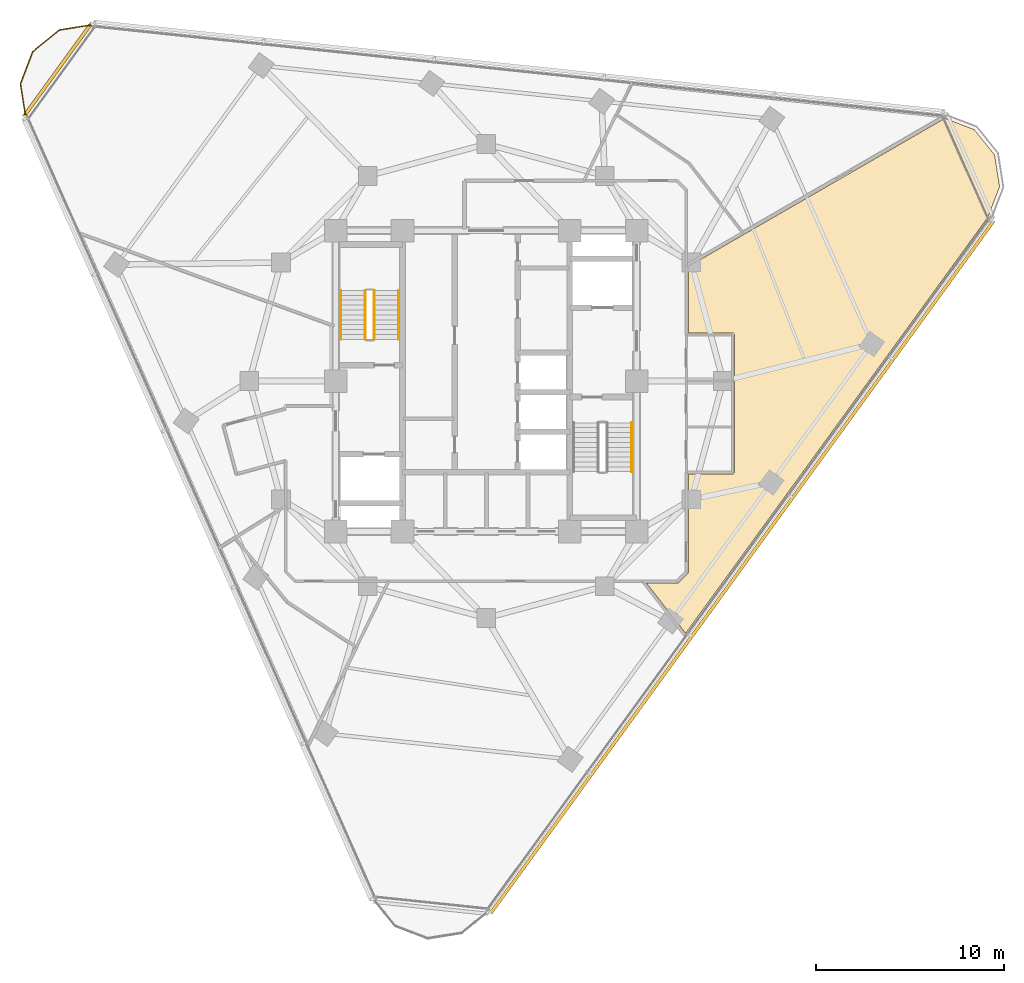
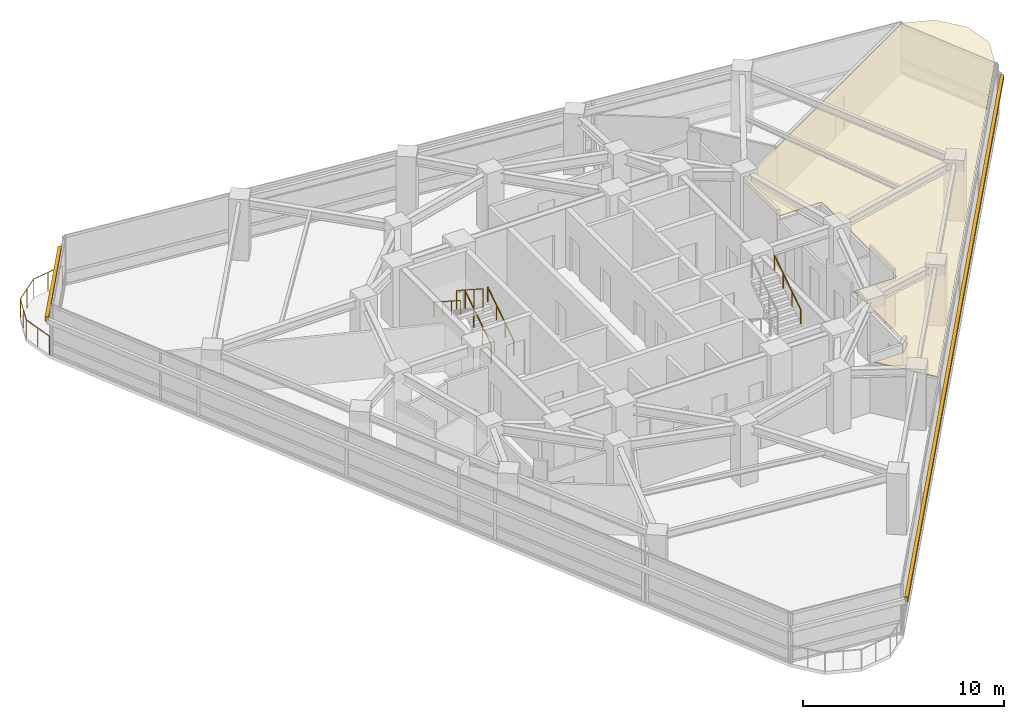
# One storey, part 13 of 14: 6 railings, 2 shading devices, 1 covering.
"""IFC4 building model written with IfcOpenShell, lengths in metres."""

from ifc_helpers import new_model, si_unit, direction, frame, origin, origin_2d, place, context, subcontext, project, spatial, polyline, rectangle, circle, outline, extrude, material, layer, layer_set, type_object, element, save


model = new_model("IFC4")

# Units and contexts
model_context = context("Model", 3, precision=1e-05, world=origin(), true_north=direction((0.0, 1.0)))
body_context = subcontext(model_context, "Body", "Model", "MODEL_VIEW")
ifc_project = project(units=[si_unit("LENGTHUNIT", "METRE"), si_unit("AREAUNIT", "SQUARE_METRE"), si_unit("VOLUMEUNIT", "CUBIC_METRE"), si_unit("PLANEANGLEUNIT", "RADIAN"), si_unit("MASSUNIT", "GRAM", prefix="KILO")], contexts=[model_context])

# Site, building, storey
site_placement = place(None, origin())
site = spatial("IfcSite", under=ifc_project, at=site_placement, CompositionType="ELEMENT")
building_placement = place(site_placement, origin())
building = spatial("IfcBuilding", under=site, at=building_placement, Name="Terralouvre Media Tower", CompositionType="ELEMENT")
storey_placement = place(building_placement, frame((0.0, 0.0, 241.10009765625)))
storey = spatial("IfcBuildingStorey", under=building, at=storey_placement, Name="L62", CompositionType="ELEMENT", Elevation=241.10009765625)

# Covering
ifc_material_1 = material(Name="Perforated aluminium acoustic ceiling baffle", Category="aluminium")
ifc_layer_1 = layer(ifc_material_1, 0.0400390625, Name="Perforated Acoustic Metal Tile Ceiling CL-AC1")
ifc_layer_set_1 = layer_set([ifc_layer_1], Name="Perforated aluminium acoustic ceiling baffle")
covering_type = type_object("IfcCoveringType", Name="Perforated Acoustic Metal Tile Ceiling CL-AC1", PredefinedType="CEILING", material=ifc_layer_set_1)
covering_placement = place(storey_placement, frame((0.0, 0.0, 2.97998046875), z_axis=(0.0, 0.0, 1.0), x_axis=(0.587785252292, 0.809016994375, 0.0)))
element("IfcCovering", 1, at=covering_placement, inside=storey, type_object=covering_type, Name="L62 Tournament Highlights Cinema 5 Acoustic Ceiling", PredefinedType="CEILING", context=body_context, shape_type="SweptSolid", body=[
    extrude(outline(polyline([(11.24658203125, -5.116455078125), (8.381591796875, -7.197998046875), (9.762939453125, -9.099365234375), (9.768310546875, -9.107421875), (9.77294921875, -9.1162109375), (9.776611328125, -9.125244140625), (9.779296875, -9.134765625), (9.781005859375, -9.144287109375), (9.781982421875, -9.154296875), (9.781982421875, -9.163818359375), (9.78076171875, -9.173583984375), (9.77880859375, -9.183349609375), (9.77587890625, -9.192626953125), (9.77197265625, -9.20166015625), (9.767333984375, -9.210205078125), (9.76171875, -9.218505859375), (9.755615234375, -9.225830078125), (9.74853515625, -9.232666015625), (9.740966796875, -9.239013671875), (3.8349609375, -13.52978515625), (3.826904296875, -13.53515625), (3.818115234375, -13.539794921875), (3.80908203125, -13.54345703125), (3.799560546875, -13.546142578125), (3.7900390625, -13.5478515625), (3.780029296875, -13.548828125), (3.7705078125, -13.548583984375), (3.760498046875, -13.547607421875), (3.7509765625, -13.545654296875), (3.74169921875, -13.542724609375), (3.732666015625, -13.538818359375), (3.72412109375, -13.5341796875), (3.7158203125, -13.528564453125), (3.708251953125, -13.522216796875), (3.701416015625, -13.515380859375), (3.6953125, -13.507568359375), (2.31396484375, -11.6064453125), (-1.892822265625, -14.662841796875), (-1.901123046875, -14.668212890625), (-1.90966796875, -14.6728515625), (-1.918701171875, -14.676513671875), (-1.92822265625, -14.67919921875), (-1.93798828125, -14.68115234375), (-1.94775390625, -14.681884765625), (-1.95751953125, -14.681884765625), (-1.96728515625, -14.680908203125), (-2.665771484375, -14.570068359375), (-2.67529296875, -14.568115234375), (-2.6845703125, -14.565185546875), (-2.693603515625, -14.561279296875), (-2.7021484375, -14.556640625), (-2.71044921875, -14.55126953125), (-2.718017578125, -14.544921875), (-2.724853515625, -14.537841796875), (-2.73095703125, -14.5302734375), (-3.685546875, -13.21630859375), (-4.6171875, -16.46435546875), (22.72119140625, -16.464599609375), (24.4111328125, -16.011474609375), (25.627197265625, -14.7958984375), (26.072021484375, -13.135009765625), (25.64111328125, -11.525390625), (14.3369140625, -6.492919921875), (11.24658203125, -5.116455078125)])), origin(), (0.0, 0.0, 1.0), 0.0400390625),
])

# Railings
ifc_material_2 = material(Name="Stainless steel 316 handrail and balustrade", Category="steel")
ifc_layer_2 = layer(ifc_material_2, 0.06005859375, Name="Roof Edge Safety Guardrail GR-ROOF1")
ifc_layer_set_2 = layer_set([ifc_layer_2], Name="Stainless steel 316 handrail and balustrade")
railing_type_1 = type_object("IfcRailingType", Name="Roof Edge Safety Guardrail GR-ROOF1", PredefinedType="GUARDRAIL", material=ifc_layer_set_2)
railing_1_placement = place(storey_placement, frame((-20.870361328125, 18.961181640625, 0.0)))
element("IfcRailing", 2, at=railing_1_placement, inside=storey, type_object=railing_type_1, Name="L62 Wind-Corner Perimeter Safety Guardrail C2", PredefinedType="GUARDRAIL", context=body_context, shape_type="SweptSolid", body=[
    extrude(circle(Radius=0.02099609375, at=origin_2d()), frame((0.0, 0.0, 1.12890625), z_axis=(-0.987731695444, -0.156160487372, 0.0), x_axis=(0.156160487372, -0.987731695444, 0.0)), (0.0, 0.0, 1.0), 1.8369140625),
    extrude(circle(Radius=0.02099609375, at=origin_2d()), frame((-1.814453125, -0.286865234375, 1.12890625), z_axis=(-0.777198436724, -0.629255583967, 0.0), x_axis=(0.629255583967, -0.777198436724, 0.0)), (0.0, 0.0, 1.0), 1.836669921875),
    extrude(circle(Radius=0.02099609375, at=origin_2d()), frame((-3.241943359375, -1.442626953125, 1.12890625), z_axis=(-0.35822186013, -0.933636491856, 0.0), x_axis=(0.933636491856, -0.35822186013, 0.0)), (0.0, 0.0, 1.0), 1.836669921875),
    extrude(circle(Radius=0.02099609375, at=origin_2d()), frame((-3.89990234375, -3.157470703125, 1.12890625), z_axis=(0.156699635824, -0.987646305178, 0.0), x_axis=(0.987646305178, 0.156699635824, 0.0)), (0.0, 0.0, 1.0), 1.8369140625),
    extrude(circle(Radius=0.01904296875, at=origin_2d()), origin(), (0.0, 0.0, 1.0), 1.10791015625),
    extrude(circle(Radius=0.01904296875, at=origin_2d()), frame((-0.9072265625, -0.1435546875, 0.0)), (0.0, 0.0, 1.0), 1.10791015625),
    extrude(circle(Radius=0.01904296875, at=origin_2d()), frame((-1.814453125, -0.286865234375, 0.0)), (0.0, 0.0, 1.0), 1.10791015625),
    extrude(circle(Radius=0.01904296875, at=origin_2d()), frame((-2.5283203125, -0.86474609375, 0.0)), (0.0, 0.0, 1.0), 1.10791015625),
    extrude(circle(Radius=0.01904296875, at=origin_2d()), frame((-3.241943359375, -1.442626953125, 0.0)), (0.0, 0.0, 1.0), 1.10791015625),
    extrude(circle(Radius=0.01904296875, at=origin_2d()), frame((-3.57080078125, -2.300048828125, 0.0)), (0.0, 0.0, 1.0), 1.10791015625),
    extrude(circle(Radius=0.01904296875, at=origin_2d()), frame((-3.89990234375, -3.157470703125, 0.0)), (0.0, 0.0, 1.0), 1.10791015625),
    extrude(circle(Radius=0.01904296875, at=origin_2d()), frame((-3.755859375, -4.064453125, 0.0)), (0.0, 0.0, 1.0), 1.10791015625),
    extrude(circle(Radius=0.01904296875, at=origin_2d()), frame((-3.612060546875, -4.9716796875, 0.0)), (0.0, 0.0, 1.0), 1.10791015625),
])
ifc_material_3 = material(Name="Stainless steel 316 handrail and balustrade", Category="steel")
ifc_layer_3 = layer(ifc_material_3, 0.050048828125, Name="Stair Flight Wall Handrail HR-INT1")
ifc_layer_set_3 = layer_set([ifc_layer_3], Name="Stainless steel 316 handrail and balustrade")
railing_type_2 = type_object("IfcRailingType", Name="Stair Flight Wall Handrail HR-INT1", PredefinedType="HANDRAIL", material=ifc_layer_set_3)
railing_2_placement = place(storey_placement, frame((-4.64990234375, 2.219970703125, 0.16796875)))
element("IfcRailing", 3, at=railing_2_placement, inside=storey, type_object=railing_type_2, Name="L62 ST-01 stair handrail 1", PredefinedType="HANDRAIL", context=body_context, shape_type="SweptSolid", body=[
    extrude(circle(Radius=0.02392578125, at=origin_2d()), frame((0.0, 0.0, 0.8759765625), z_axis=(0.0, 0.839648411786, 0.543130320075), x_axis=(-1.0, 0.0, 0.0)), (0.0, 0.0, 1.0), 3.0966796875),
    extrude(circle(Radius=0.02099609375, at=origin_2d()), origin(), (0.0, 0.0, 1.0), 0.851806640625),
    extrude(circle(Radius=0.02099609375, at=origin_2d()), frame((0.0, 0.86669921875, 0.560546875)), (0.0, 0.0, 1.0), 0.851806640625),
    extrude(circle(Radius=0.02099609375, at=origin_2d()), frame((0.0, 1.7333984375, 1.121337890625)), (0.0, 0.0, 1.0), 0.851806640625),
    extrude(circle(Radius=0.02099609375, at=origin_2d()), frame((0.0, 2.60009765625, 1.681884765625)), (0.0, 0.0, 1.0), 0.851806640625),
])
railing_3_placement = place(storey_placement, frame((-7.72998046875, 4.820068359375, 2.01806640625)))
element("IfcRailing", 4, at=railing_3_placement, inside=storey, type_object=railing_type_2, Name="L62 ST-01 stair handrail 2", PredefinedType="HANDRAIL", context=body_context, shape_type="SweptSolid", body=[
    extrude(circle(Radius=0.02392578125, at=origin_2d()), frame((0.0, 0.0, 0.8759765625), z_axis=(0.0, -0.839648411786, 0.543130320075), x_axis=(1.0, 0.0, 0.0)), (0.0, 0.0, 1.0), 3.0966796875),
    extrude(circle(Radius=0.02099609375, at=origin_2d()), origin(), (0.0, 0.0, 1.0), 0.851806640625),
    extrude(circle(Radius=0.02099609375, at=origin_2d()), frame((0.0, -0.86669921875, 0.560546875)), (0.0, 0.0, 1.0), 0.851806640625),
    extrude(circle(Radius=0.02099609375, at=origin_2d()), frame((0.0, -1.7333984375, 1.121337890625)), (0.0, 0.0, 1.0), 0.851806640625),
    extrude(circle(Radius=0.02099609375, at=origin_2d()), frame((0.0, -2.60009765625, 1.681884765625)), (0.0, 0.0, 1.0), 0.851806640625),
])
railing_4_placement = place(storey_placement, frame((7.72998046875, -4.820068359375, 2.01806640625)))
element("IfcRailing", 5, at=railing_4_placement, inside=storey, type_object=railing_type_2, Name="L62 ST-02 stair handrail 2", PredefinedType="HANDRAIL", context=body_context, shape_type="SweptSolid", body=[
    extrude(circle(Radius=0.02392578125, at=origin_2d()), frame((0.0, 0.0, 0.8759765625), z_axis=(0.0, 0.839648411786, 0.543130320075), x_axis=(-1.0, 0.0, 0.0)), (0.0, 0.0, 1.0), 3.0966796875),
    extrude(circle(Radius=0.02099609375, at=origin_2d()), origin(), (0.0, 0.0, 1.0), 0.851806640625),
    extrude(circle(Radius=0.02099609375, at=origin_2d()), frame((0.0, 0.86669921875, 0.560546875)), (0.0, 0.0, 1.0), 0.851806640625),
    extrude(circle(Radius=0.02099609375, at=origin_2d()), frame((0.0, 1.7333984375, 1.121337890625)), (0.0, 0.0, 1.0), 0.851806640625),
    extrude(circle(Radius=0.02099609375, at=origin_2d()), frame((0.0, 2.60009765625, 1.681884765625)), (0.0, 0.0, 1.0), 0.851806640625),
])
ifc_material_4 = material(Name="Stainless steel 316 handrail and balustrade", Category="steel")
ifc_layer_4 = layer(ifc_material_4, 0.050048828125, Name="Stairwell Safety Guardrail GR-INT1")
ifc_layer_set_4 = layer_set([ifc_layer_4], Name="Stainless steel 316 handrail and balustrade")
railing_type_3 = type_object("IfcRailingType", Name="Stairwell Safety Guardrail GR-INT1", PredefinedType="GUARDRAIL", material=ifc_layer_set_4)
railing_5_placement = place(storey_placement, frame((-5.949951171875, 2.219970703125, 0.16796875)))
element("IfcRailing", 6, at=railing_5_placement, inside=storey, type_object=railing_type_3, Name="L62 ST-01 stair guard 1", PredefinedType="GUARDRAIL", context=body_context, shape_type="SweptSolid", body=[
    extrude(circle(Radius=0.02392578125, at=origin_2d()), frame((0.0, 0.0, 1.1259765625), z_axis=(0.0, 0.839648411786, 0.543130320075), x_axis=(-1.0, 0.0, 0.0)), (0.0, 0.0, 1.0), 3.0966796875),
    extrude(circle(Radius=0.02099609375, at=origin_2d()), origin(), (0.0, 0.0, 1.0), 1.101806640625),
    extrude(circle(Radius=0.02099609375, at=origin_2d()), frame((0.0, 0.86669921875, 0.560546875)), (0.0, 0.0, 1.0), 1.101806640625),
    extrude(circle(Radius=0.02099609375, at=origin_2d()), frame((0.0, 1.7333984375, 1.121337890625)), (0.0, 0.0, 1.0), 1.101806640625),
    extrude(circle(Radius=0.02099609375, at=origin_2d()), frame((0.0, 2.60009765625, 1.681884765625)), (0.0, 0.0, 1.0), 1.101806640625),
])
railing_6_placement = place(storey_placement, frame((-6.429931640625, 4.820068359375, 2.01806640625)))
element("IfcRailing", 7, at=railing_6_placement, inside=storey, type_object=railing_type_3, Name="L62 ST-01 stair guard 3", PredefinedType="GUARDRAIL", context=body_context, shape_type="SweptSolid", body=[
    extrude(circle(Radius=0.02392578125, at=origin_2d()), frame((0.0, 0.0, 1.1259765625), z_axis=(0.0, -0.839648411786, 0.543130320075), x_axis=(1.0, 0.0, 0.0)), (0.0, 0.0, 1.0), 3.0966796875),
    extrude(circle(Radius=0.02099609375, at=origin_2d()), origin(), (0.0, 0.0, 1.0), 1.101806640625),
    extrude(circle(Radius=0.02099609375, at=origin_2d()), frame((0.0, -0.86669921875, 0.560546875)), (0.0, 0.0, 1.0), 1.101806640625),
    extrude(circle(Radius=0.02099609375, at=origin_2d()), frame((0.0, -1.7333984375, 1.121337890625)), (0.0, 0.0, 1.0), 1.101806640625),
    extrude(circle(Radius=0.02099609375, at=origin_2d()), frame((0.0, -2.60009765625, 1.681884765625)), (0.0, 0.0, 1.0), 1.101806640625),
])

# Shading devices
ifc_material_5 = material(Name="Extruded terracotta baguette sunshade louvres", Category="masonry")
shading_device_type = type_object("IfcShadingDeviceType", Name="Terracotta Baguette Sunshade Louvre Screen TB-LV1", PredefinedType="USERDEFINED", material=ifc_material_5)
shading_device_1_placement = place(storey_placement, frame((13.611572265625, -9.889404296875, 2.02392578125), z_axis=(0.0, 0.0, 1.0), x_axis=(0.587785300879, 0.809016959074, 0.0)))
element("IfcShadingDevice", 8, at=shading_device_1_placement, inside=storey, type_object=shading_device_type, Name="CW-L62-F0 Terracotta Baguette Sunshade Louvre", ObjectType="BAGUETTE", PredefinedType="USERDEFINED", context=body_context, shape_type="SweptSolid", body=[
    extrude(rectangle(XDim=45.5, YDim=0.179931640625, at=origin_2d()), origin(), (0.0, 0.0, 1.0), 0.280029296875),
])
shading_device_2_placement = place(storey_placement, frame((-22.785400390625, 16.5546875, 2.02392578125), z_axis=(0.0, 0.0, 1.0), x_axis=(-0.58778588998, -0.809016531067, 0.0)))
element("IfcShadingDevice", 9, at=shading_device_2_placement, inside=storey, type_object=shading_device_type, Name="CW-L62-C2 Terracotta Baguette Sunshade Louvre", ObjectType="BAGUETTE", PredefinedType="USERDEFINED", context=body_context, shape_type="SweptSolid", body=[
    extrude(rectangle(XDim=6.148681640625, YDim=0.179931640625, at=origin_2d()), origin(), (0.0, 0.0, 1.0), 0.280029296875),
])

save(model, "model.ifc")
